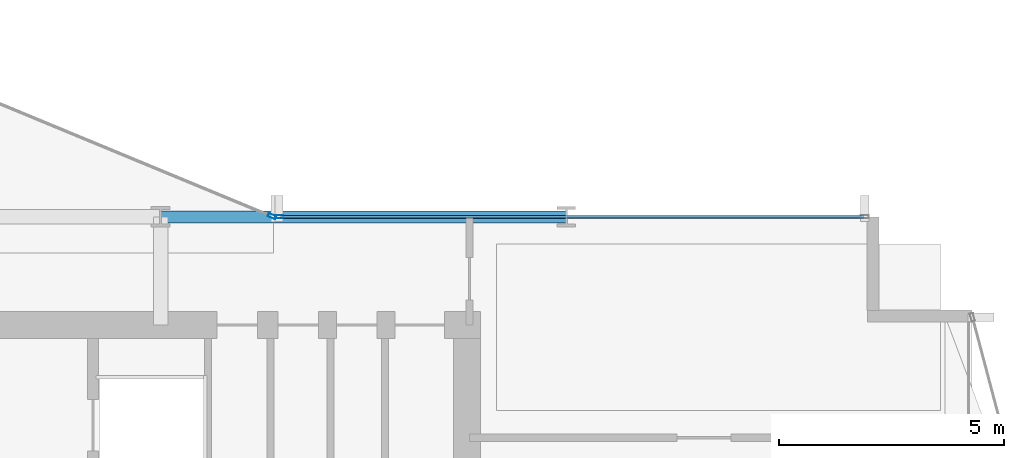
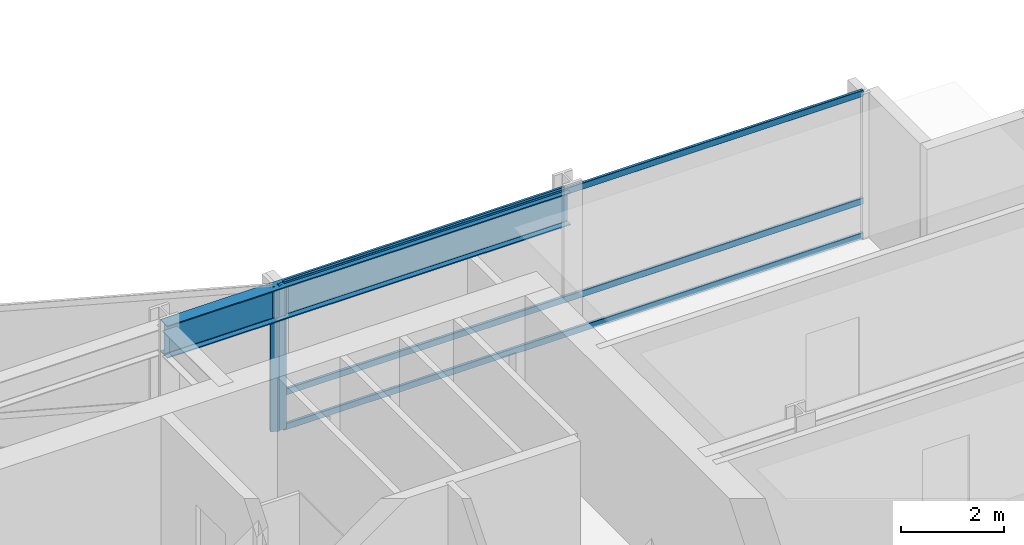
# One storey, part 13 of 29: 5 members, 1 beam, 2 elements without a shape of their own.
"""IFC4 building model written with IfcOpenShell, lengths in metres."""

from ifc_helpers import new_model, si_unit, direction, frame, origin, origin_2d, place, context, subcontext, project, spatial, hollow_rectangle, i_section, extrude, material, layer, layer_set, material_profile, profile_set, type_object, element, aggregate, save


model = new_model("IFC4")

# Units and contexts
model_context = context("Model", 3, precision=1e-05, world=origin(), true_north=direction((0.0, 1.0)))
body_context = subcontext(model_context, "Body", "Model", "MODEL_VIEW")
ifc_project = project(units=[si_unit("LENGTHUNIT", "METRE"), si_unit("AREAUNIT", "SQUARE_METRE"), si_unit("VOLUMEUNIT", "CUBIC_METRE"), si_unit("PLANEANGLEUNIT", "RADIAN"), si_unit("MASSUNIT", "GRAM", prefix="KILO")], contexts=[model_context])

# Site, building, storey
site_placement = place(None, origin())
site = spatial("IfcSite", under=ifc_project, at=site_placement, CompositionType="ELEMENT")
building_placement = place(site_placement, origin())
building = spatial("IfcBuilding", under=site, at=building_placement, Name="Solvaryn Broadcast Tower", CompositionType="ELEMENT")
storey_placement = place(building_placement, frame((0.0, 0.0, 121.10009765625)))
storey = spatial("IfcBuildingStorey", under=building, at=storey_placement, Name="L29", CompositionType="ELEMENT", Elevation=121.10009765625)

# Beam
ifc_material_1 = material(Name="Steel ASTM A992 Grade 50", Category="steel")
ifc_material_profile_1 = material_profile(ifc_material_1, i_section(OverallWidth=0.26708984375, OverallDepth=0.76611328125, WebThickness=0.014892578125, FlangeThickness=0.023681640625, FilletRadius=0.01806640625, at=origin_2d()))
ifc_profile_set_1 = profile_set([ifc_material_profile_1], Name="Steel ASTM A992 Grade 50")
beam_type = type_object("IfcBeamType", Name="BM-SP2-W30X124", PredefinedType="USERDEFINED", material=ifc_profile_set_1)
beam_placement = place(storey_placement, frame((36.0, 27.0, 3.036865234375), z_axis=(1.0, 0.0, 0.0), x_axis=(0.0, 1.0, 0.0)))
element("IfcBeam", 1, at=beam_placement, inside=storey, type_object=beam_type, Name="L29 Spandrel Beam X (36-45 @ Y=27)", ObjectType="SPANDREL", PredefinedType="USERDEFINED", context=body_context, shape_type="SweptSolid", body=[
    extrude(i_section(OverallWidth=0.26708984375, OverallDepth=0.76611328125, WebThickness=0.014892578125, FlangeThickness=0.023681640625, FilletRadius=0.01806640625, at=origin_2d()), origin(), (0.0, 0.0, 1.0), 9.0),
])

# Curtain wall, member
ifc_material_2 = material(Name="Aluminium and Terracotta Unitised Curtain Wall", Category="masonry")
ifc_layer = layer(ifc_material_2, 0.199951171875)
ifc_layer_set = layer_set([ifc_layer], Name="CW-SYS2-LOWMID")
curtain_wall_type = type_object("IfcCurtainWallType", Name="CW-SYS2-LOWMID", PredefinedType="NOTDEFINED", material=ifc_layer_set)
curtain_wall_1_placement = place(storey_placement, origin())
curtain_wall_1 = element("IfcCurtainWall", 2, at=curtain_wall_1_placement, inside=storey, type_object=curtain_wall_type, Name="L29 Curtain Wall CN1", PredefinedType="NOTDEFINED")
ifc_material_3 = material(Name="Anodised Aluminium 6063-T6", Category="aluminium")
ifc_material_profile_2 = material_profile(ifc_material_3, hollow_rectangle(XDim=0.074951171875, YDim=0.179931640625, WallThickness=0.00390625, InnerFilletRadius=0.00390625, OuterFilletRadius=0.008056640625, at=origin_2d()))
ifc_profile_set_2 = profile_set([ifc_material_profile_2], Name="Anodised Aluminium 6063-T6")
member_type_1 = type_object("IfcMemberType", Name="CW-MUL-180", PredefinedType="MULLION", material=ifc_profile_set_2)
member_1_placement = place(storey_placement, frame((38.47216796875, 27.011474609375, 0.0), z_axis=(0.0, 0.0, 1.0), x_axis=(-0.382646127145, -0.923894983957, 0.0)))
member_1 = element("IfcMember", 3, at=member_1_placement, type_object=member_type_1, Name="CWS2 mullion 1", PredefinedType="MULLION", context=body_context, shape_type="SweptSolid", body=[
    extrude(hollow_rectangle(XDim=0.074951171875, YDim=0.179931640625, WallThickness=0.00390625, InnerFilletRadius=0.00390625, OuterFilletRadius=0.008056640625, at=origin_2d()), origin(), (0.0, 0.0, 1.0), 3.419921875),
])
aggregate(curtain_wall_1, [member_1])

# Curtain wall, members
curtain_wall_2_placement = place(storey_placement, origin())
curtain_wall_2 = element("IfcCurtainWall", 4, at=curtain_wall_2_placement, inside=storey, type_object=curtain_wall_type, Name="L29 Curtain Wall IH", PredefinedType="NOTDEFINED")
member_2_placement = place(storey_placement, frame((38.6298828125, 27.0, 0.0), z_axis=(0.0, 0.0, 1.0), x_axis=(0.0, 1.0, 0.0)))
member_2 = element("IfcMember", 5, at=member_2_placement, type_object=member_type_1, Name="CWS2 mullion 1", PredefinedType="MULLION", context=body_context, shape_type="SweptSolid", body=[
    extrude(hollow_rectangle(XDim=0.074951171875, YDim=0.179931640625, WallThickness=0.00390625, InnerFilletRadius=0.00390625, OuterFilletRadius=0.008056640625, at=origin_2d()), origin(), (0.0, 0.0, 1.0), 3.419921875),
])
ifc_material_4 = material(Name="Anodised Aluminium 6063-T6", Category="aluminium")
ifc_material_profile_3 = material_profile(ifc_material_4, hollow_rectangle(XDim=0.06494140625, YDim=0.14990234375, WallThickness=0.00390625, InnerFilletRadius=0.00390625, OuterFilletRadius=0.008056640625, at=origin_2d()))
ifc_profile_set_3 = profile_set([ifc_material_profile_3], Name="Anodised Aluminium 6063-T6")
member_type_2 = type_object("IfcMemberType", Name="CW-TRN-150", PredefinedType="USERDEFINED", material=ifc_profile_set_3)
member_3_placement = place(storey_placement, frame((38.659912109375, 27.0, 0.02978515625), z_axis=(1.0, 0.0, 0.0), x_axis=(0.0, 1.0, 0.0)))
member_3 = element("IfcMember", 6, at=member_3_placement, type_object=member_type_2, Name="CWS2 transom 1.1", ObjectType="TRANSOM", PredefinedType="USERDEFINED", context=body_context, shape_type="SweptSolid", body=[
    extrude(hollow_rectangle(XDim=0.06494140625, YDim=0.14990234375, WallThickness=0.00390625, InnerFilletRadius=0.00390625, OuterFilletRadius=0.008056640625, at=origin_2d()), origin(), (0.0, 0.0, 1.0), 12.93017578125),
])
member_4_placement = place(storey_placement, frame((38.659912109375, 27.0, 0.849853515625), z_axis=(1.0, 0.0, 0.0), x_axis=(0.0, 1.0, 0.0)))
member_4 = element("IfcMember", 7, at=member_4_placement, type_object=member_type_2, Name="CWS2 transom 1.2", ObjectType="TRANSOM", PredefinedType="USERDEFINED", context=body_context, shape_type="SweptSolid", body=[
    extrude(hollow_rectangle(XDim=0.06494140625, YDim=0.14990234375, WallThickness=0.00390625, InnerFilletRadius=0.00390625, OuterFilletRadius=0.008056640625, at=origin_2d()), origin(), (0.0, 0.0, 1.0), 12.93017578125),
])
member_5_placement = place(storey_placement, frame((38.659912109375, 27.0, 3.389892578125), z_axis=(1.0, 0.0, 0.0), x_axis=(0.0, 1.0, 0.0)))
member_5 = element("IfcMember", 8, at=member_5_placement, type_object=member_type_2, Name="CWS2 transom 1.3", ObjectType="TRANSOM", PredefinedType="USERDEFINED", context=body_context, shape_type="SweptSolid", body=[
    extrude(hollow_rectangle(XDim=0.06494140625, YDim=0.14990234375, WallThickness=0.00390625, InnerFilletRadius=0.00390625, OuterFilletRadius=0.008056640625, at=origin_2d()), origin(), (0.0, 0.0, 1.0), 12.93017578125),
])
aggregate(curtain_wall_2, [member_2, member_3, member_4, member_5])

save(model, "model.ifc")
